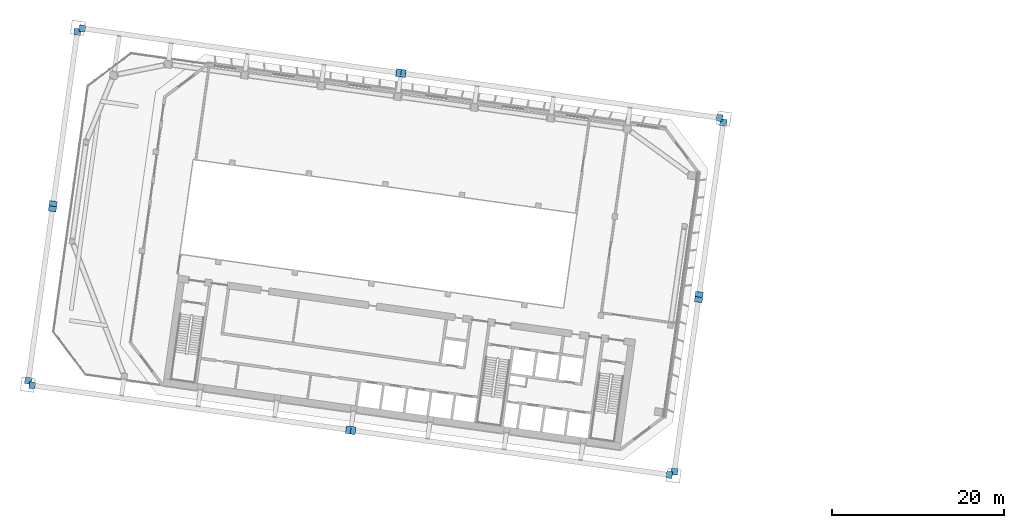
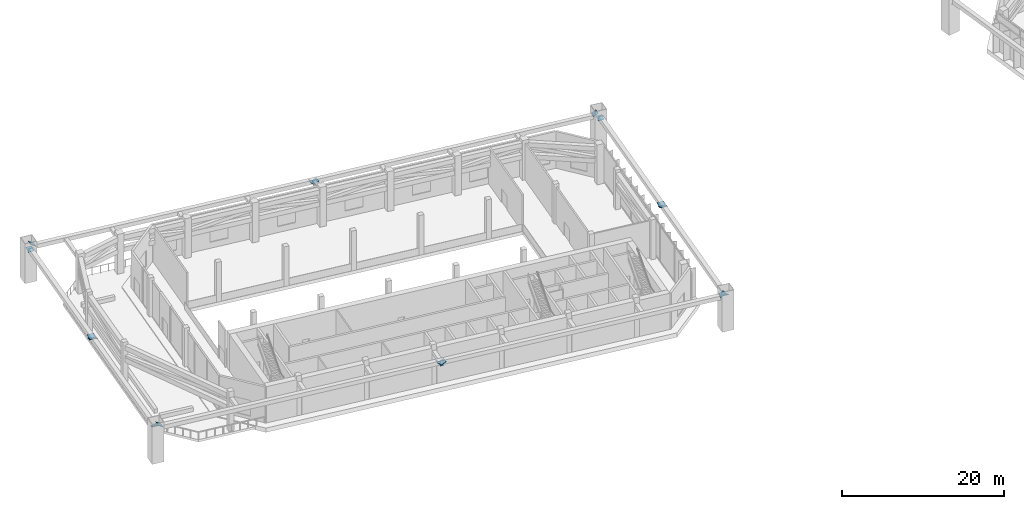
# One storey, part 27 of 41: 16 discrete accessories.
"""IFC4 building model written with IfcOpenShell, lengths in metres."""

from ifc_helpers import new_model, si_unit, direction, frame, origin, origin_2d, place, context, subcontext, project, spatial, rectangle, extrude, material, material_profile, profile_set, type_object, element, save


model = new_model("IFC4")

# Units and contexts
model_context = context("Model", 3, precision=1e-05, world=origin(), true_north=direction((0.0, 1.0)))
body_context = subcontext(model_context, "Body", "Model", "MODEL_VIEW")
ifc_project = project(units=[si_unit("LENGTHUNIT", "METRE"), si_unit("AREAUNIT", "SQUARE_METRE"), si_unit("VOLUMEUNIT", "CUBIC_METRE"), si_unit("PLANEANGLEUNIT", "RADIAN"), si_unit("MASSUNIT", "GRAM", prefix="KILO")], contexts=[model_context])

# Site, building, storey
site_placement = place(None, origin())
site = spatial("IfcSite", under=ifc_project, at=site_placement, CompositionType="ELEMENT")
building_placement = place(site_placement, origin())
building = spatial("IfcBuilding", under=site, at=building_placement, Name="Mirante Cascada Hotel Towers", CompositionType="ELEMENT")
storey_placement = place(building_placement, frame((0.0, 0.0, 92.7)))
storey = spatial("IfcBuildingStorey", under=building, at=storey_placement, Name="L20", CompositionType="ELEMENT", Elevation=92.7)

# Discrete accessories
ifc_material_1 = material(Name="Steel ASTM A572 Gr 50", Category="steel")
ifc_material_profile_1 = material_profile(ifc_material_1, rectangle(XDim=0.8, YDim=0.8, at=origin_2d()), Name="Connection plate 800x800x25 ASTM A572 Gr 50")
ifc_profile_set_1 = profile_set([ifc_material_profile_1], Name="Steel ASTM A572 Gr 50")
discrete_accessory_type_1 = type_object("IfcDiscreteAccessoryType", Name="Connection plate 800x800x25 ASTM A572 Gr 50", PredefinedType="BRACKET", material=ifc_profile_set_1)
discrete_accessory_1_placement = place(storey_placement, frame((-25.5984, 18.5878, 5.1722), z_axis=(-0.5345565, 0.0757953, 0.841727), x_axis=(-0.1403868, -0.9900967, 0.0)))
element("IfcDiscreteAccessory", 1, at=discrete_accessory_1_placement, inside=storey, type_object=discrete_accessory_type_1, Name="Connection plate MB-FL20L", PredefinedType="BRACKET", context=body_context, shape_type="SweptSolid", body=[
    extrude(rectangle(XDim=0.8, YDim=0.8, at=origin_2d()), origin(), (0.0, 0.0, 1.0), 0.0251),
])
for number, where, z_axis, x_axis, name in (
    (2, (-99.8556, 29.0239, 5.1722), (0.5318554, -0.0719804, 0.8437705), (0.1341157, 0.9909657, 0.0), "Connection plate MB-FL20R"),
    (3, (-31.4437, -23.0035, 5.1722), (-0.5316981, 0.0759569, 0.843521), (-0.1414214, -0.9899495, 0.0), "Connection plate MB-RL20L"),
):
    element("IfcDiscreteAccessory", number, at=place(storey_placement, frame(where, z_axis=z_axis, x_axis=x_axis)), inside=storey, type_object=discrete_accessory_type_1, Name=name, PredefinedType="BRACKET", context=body_context, shape_type="SweptSolid", body=[
        extrude(rectangle(XDim=0.8, YDim=0.8, at=origin_2d()), origin(), (0.0, 0.0, 1.0), 0.025),
    ])
discrete_accessory_2_placement = place(storey_placement, frame((-105.7009, -12.5673, 5.1722), z_axis=(0.5345565, -0.0757953, 0.841727), x_axis=(0.1403868, 0.9900967, 0.0)))
element("IfcDiscreteAccessory", 4, at=discrete_accessory_2_placement, inside=storey, type_object=discrete_accessory_type_1, Name="Connection plate MB-RL20R", PredefinedType="BRACKET", context=body_context, shape_type="SweptSolid", body=[
    extrude(rectangle(XDim=0.8, YDim=0.8, at=origin_2d()), origin(), (0.0, 0.0, 1.0), 0.0251),
])
for number, where, z_axis, x_axis, name in (
    (5, (-30.877, -22.6106, 4.6718), (0.0480381, 0.3242569, 0.9447485), (-0.9892035, 0.1465487, 0.0), "Connection plate MB-IL20L"),
    (6, (-25.162, 18.0539, 4.6718), (-0.044043, -0.3243167, 0.9449227), (0.9909045, -0.1345673, 0.0), "Connection plate MB-IL20R"),
    (7, (-106.1368, -12.028, 4.8043), (0.0680577, 0.3643091, 0.9287879), (-0.9829943, 0.1836363, 0.0), "Connection plate MB-OL20L"),
):
    element("IfcDiscreteAccessory", number, at=place(storey_placement, frame(where, z_axis=z_axis, x_axis=x_axis)), inside=storey, type_object=discrete_accessory_type_1, Name=name, PredefinedType="BRACKET", context=body_context, shape_type="SweptSolid", body=[
        extrude(rectangle(XDim=0.8, YDim=0.8, at=origin_2d()), origin(), (0.0, 0.0, 1.0), 0.025),
    ])
discrete_accessory_3_placement = place(storey_placement, frame((-100.4233, 28.6256, 4.8043), z_axis=(-0.0360908, -0.3649178, 0.93034), x_axis=(0.9951449, -0.0984209, 0.0)))
element("IfcDiscreteAccessory", 8, at=discrete_accessory_3_placement, inside=storey, type_object=discrete_accessory_type_1, Name="Connection plate MB-OL20R", PredefinedType="BRACKET", context=body_context, shape_type="SweptSolid", body=[
    extrude(rectangle(XDim=0.8, YDim=0.8, at=origin_2d()), origin(), (0.0, 0.0, 1.0), 0.0249),
])
ifc_material_2 = material(Name="Steel ASTM A572 Gr 50", Category="steel")
ifc_material_profile_2 = material_profile(ifc_material_2, rectangle(XDim=0.9, YDim=0.9, at=origin_2d()), Name="Connection plate 900x900x25 ASTM A572 Gr 50")
ifc_profile_set_2 = profile_set([ifc_material_profile_2], Name="Steel ASTM A572 Gr 50")
discrete_accessory_type_2 = type_object("IfcDiscreteAccessoryType", Name="Connection plate 900x900x25 ASTM A572 Gr 50", PredefinedType="BRACKET", material=ifc_profile_set_2)
for number, where, z_axis, x_axis, name in (
    (9, (-62.537, 23.7792, 4.6921), (-0.5438347, 0.0759769, 0.835746), (-0.1383621, -0.9903817, 0.0), "Connection plate MB-FL06L"),
    (10, (-62.917, 23.8326, 4.6921), (0.5438347, -0.0759769, 0.835746), (0.1383621, 0.9903817, 0.0), "Connection plate MB-FL06R"),
    (11, (-68.3823, -17.8121, 4.6921), (-0.5438347, 0.0759769, 0.835746), (-0.1383621, -0.9903817, 0.0), "Connection plate MB-RL06L"),
    (12, (-68.7623, -17.7587, 4.6921), (0.5438347, -0.0759769, 0.835746), (0.1383621, 0.9903817, 0.0), "Connection plate MB-RL06R"),
    (13, (-28.0458, -2.4657, 4.7878), (0.0479123, 0.3313934, 0.9422753), (-0.9897096, 0.1430905, 0.0), "Connection plate MB-IL06L"),
    (14, (-27.9931, -2.091, 4.7878), (-0.0479123, -0.3313934, 0.9422753), (0.9897096, -0.1430905, 0.0), "Connection plate MB-IL06R"),
    (15, (-103.3062, 8.1115, 4.7878), (0.0479754, 0.3278322, 0.943517), (-0.9894611, 0.1447992, 0.0), "Connection plate MB-OL06L"),
    (16, (-103.2535, 8.4861, 4.7878), (-0.0479754, -0.3278322, 0.943517), (0.9894611, -0.1447992, 0.0), "Connection plate MB-OL06R"),
):
    element("IfcDiscreteAccessory", number, at=place(storey_placement, frame(where, z_axis=z_axis, x_axis=x_axis)), inside=storey, type_object=discrete_accessory_type_2, Name=name, PredefinedType="BRACKET", context=body_context, shape_type="SweptSolid", body=[
        extrude(rectangle(XDim=0.9, YDim=0.9, at=origin_2d()), origin(), (0.0, 0.0, 1.0), 0.025),
    ])

save(model, "model.ifc")
